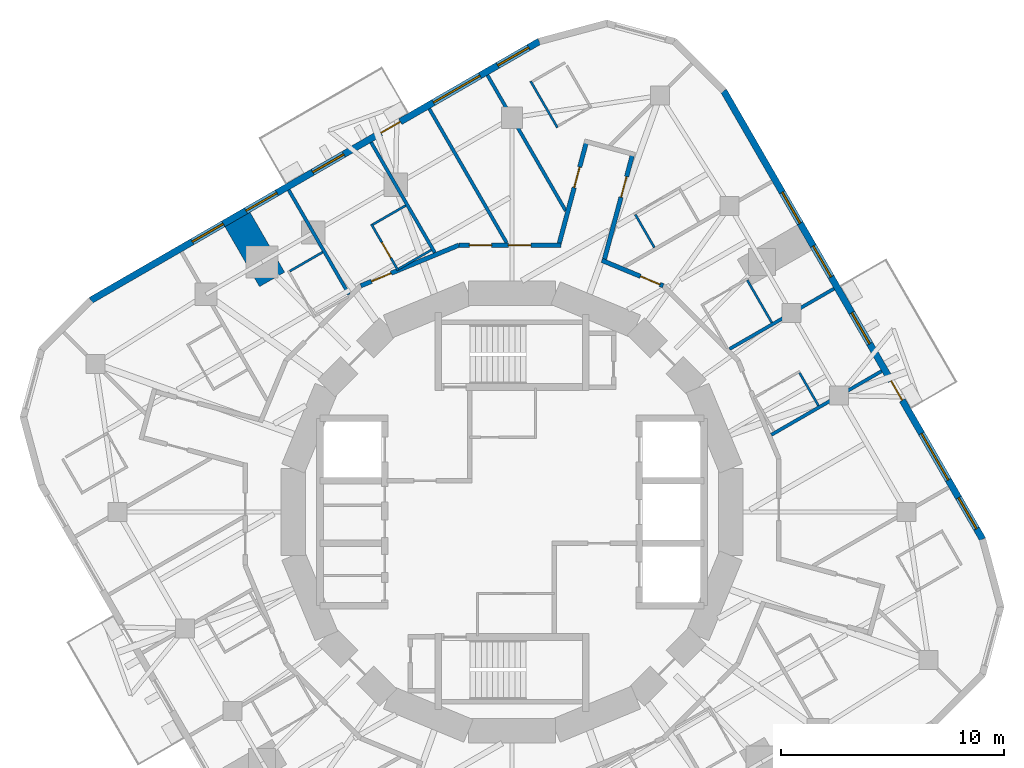
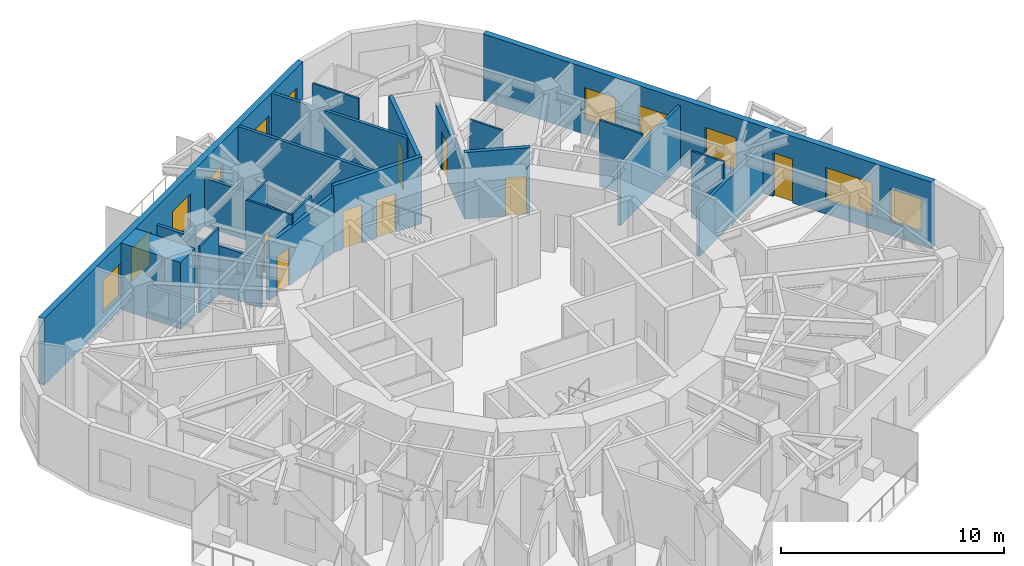
# One storey, part 8 of 11: 22 walls, 10 windows, 9 doors, 19 openings.
"""IFC4 building model written with IfcOpenShell, lengths in metres."""

from ifc_helpers import new_model, si_unit, direction, frame, frame_2d, origin, place, context, subcontext, project, spatial, rectangle, extrude, material, layer, layer_set, type_object, element, fill, save


model = new_model("IFC4")

# Units and contexts
model_context = context("Model", 3, precision=1e-05, world=origin(), true_north=direction((0.0, 1.0)))
body_context = subcontext(model_context, "Body", "Model", "MODEL_VIEW")
ifc_project = project(units=[si_unit("LENGTHUNIT", "METRE"), si_unit("AREAUNIT", "SQUARE_METRE"), si_unit("VOLUMEUNIT", "CUBIC_METRE"), si_unit("PLANEANGLEUNIT", "RADIAN"), si_unit("MASSUNIT", "GRAM", prefix="KILO")], contexts=[model_context])

# Site, building, storey
site_placement = place(None, origin())
site = spatial("IfcSite", under=ifc_project, at=site_placement, CompositionType="ELEMENT")
building_placement = place(site_placement, origin())
building = spatial("IfcBuilding", under=site, at=building_placement, Name="Nakasero Lantern House", CompositionType="ELEMENT")
storey_placement = place(building_placement, frame((0.0, 0.0, 250.050048828125)))
storey = spatial("IfcBuildingStorey", under=building, at=storey_placement, Name="L61", CompositionType="ELEMENT", Elevation=250.050048828125)

# Wall
ifc_material_1 = material(Name="Blockwork", Category="masonry")
ifc_layer_1 = layer(ifc_material_1, 1.300048828125)
ifc_layer_set_1 = layer_set([ifc_layer_1], Name="Column pier 1300")
wall_type_1 = type_object("IfcWallType", Name="Column pier 1300", PredefinedType="PARTITIONING", material=ifc_layer_set_1)
wall_1_placement = place(storey_placement, frame((-10.75048828125, 10.4208984375, 0.0), z_axis=(0.0, 0.0, 1.0), x_axis=(-0.499933790963, 0.866063626216, 0.0)))
element("IfcWall", 1, at=wall_1_placement, inside=storey, type_object=wall_type_1, Name="Column pier L61 PN1-05", PredefinedType="PARTITIONING", context=body_context, shape_type="SweptSolid", body=[
    extrude(rectangle(XDim=3.10009765625, YDim=1.300048828125, at=frame_2d((1.550048828125, 0.0))), origin(), (0.0, 0.0, 1.0), 3.64990234375),
])

# Wall, opening, door
ifc_material_2 = material(Name="Blockwork", Category="masonry")
ifc_layer_2 = layer(ifc_material_2, 0.199951171875)
ifc_layer_set_2 = layer_set([ifc_layer_2], Name="Corridor wall 200")
wall_type_2 = type_object("IfcWallType", Name="Corridor wall 200", PredefinedType="PARTITIONING", material=ifc_layer_set_2)
wall_2_placement = place(storey_placement, frame((-6.773681640625, 10.137451171875, 0.0), z_axis=(0.0, 0.0, 1.0), x_axis=(0.923891735412, 0.382653970627, 0.0)))
wall_2 = element("IfcWall", 2, at=wall_2_placement, inside=storey, type_object=wall_type_2, Name="Corridor wall L61 RC11a", PredefinedType="PARTITIONING", context=body_context, shape_type="SweptSolid", body=[
    extrude(rectangle(XDim=4.757080078125, YDim=0.199951171875, at=frame_2d((2.37841796875, 0.0))), origin(), (0.0, 0.0, 1.0), 3.11328125),
])
opening_1_placement = place(wall_2_placement, frame((0.52001953125, 0.0, 0.0)))
opening_1 = element("IfcOpeningElement", 3, at=opening_1_placement, cuts=wall_2, Name="Opening D01", PredefinedType="OPENING", context=body_context, shape_type="SweptSolid", body=[
    extrude(rectangle(XDim=0.949951171875, YDim=2.10009765625, at=frame_2d((0.47509765625, 1.050048828125))), frame((0.0, 0.119873046875, 0.0), z_axis=(0.0, -1.0, 0.0), x_axis=(1.0, 0.0, 0.0)), (0.0, 0.0, 1.0), 0.239990234375),
])
ifc_material_3 = material(Name="Timber C24", Category="wood")
door_type_1 = type_object("IfcDoorType", Name="Bedroom door FD30S 950", OperationType="SINGLE_SWING_LEFT", PredefinedType="DOOR", material=ifc_material_3)
door_1_placement = place(opening_1_placement, origin())
door_1 = element("IfcDoor", 4, at=door_1_placement, inside=storey, type_object=door_type_1, Name="Door L61 D1-03", OperationType="SINGLE_SWING_LEFT", OverallHeight=2.10009765625, OverallWidth=0.949951171875, PredefinedType="DOOR", context=body_context, shape_type="SweptSolid", body=[
    extrude(rectangle(XDim=0.949951171875, YDim=2.10009765625, at=frame_2d((0.47509765625, 1.050048828125))), frame((0.0, 0.02490234375, 0.0), z_axis=(0.0, -1.0, 0.0), x_axis=(1.0, 0.0, 0.0)), (0.0, 0.0, 1.0), 0.050048828125),
])
fill(opening_1, door_1)

# Wall, openings, doors
wall_3_placement = place(storey_placement, frame((-2.378662109375, 11.957763671875, 0.0), z_axis=(0.0, 0.0, 1.0), x_axis=(1.0, 0.0, 0.0)))
wall_3 = element("IfcWall", 5, at=wall_3_placement, inside=storey, type_object=wall_type_2, Name="Corridor wall L61 RC12a", PredefinedType="PARTITIONING", context=body_context, shape_type="SweptSolid", body=[
    extrude(rectangle(XDim=4.57861328125, YDim=0.199951171875, at=frame_2d((2.289306640625, 0.0))), origin(), (0.0, 0.0, 1.0), 3.64990234375),
])
opening_2_placement = place(wall_3_placement, frame((2.219970703125, 0.0, 0.0)))
opening_2 = element("IfcOpeningElement", 6, at=opening_2_placement, cuts=wall_3, Name="Opening D03", PredefinedType="OPENING", context=body_context, shape_type="SweptSolid", body=[
    extrude(rectangle(XDim=1.0, YDim=2.10009765625, at=frame_2d((0.5, 1.050048828125))), frame((0.0, 0.119873046875, 0.0), z_axis=(0.0, -1.0, 0.0), x_axis=(1.0, 0.0, 0.0)), (0.0, 0.0, 1.0), 0.239990234375),
])
opening_3_placement = place(wall_3_placement, frame((0.469970703125, 0.0, 0.0)))
opening_3 = element("IfcOpeningElement", 7, at=opening_3_placement, cuts=wall_3, Name="Opening D03", PredefinedType="OPENING", context=body_context, shape_type="SweptSolid", body=[
    extrude(rectangle(XDim=1.0, YDim=2.10009765625, at=frame_2d((0.5, 1.050048828125))), frame((0.0, 0.119873046875, 0.0), z_axis=(0.0, -1.0, 0.0), x_axis=(1.0, 0.0, 0.0)), (0.0, 0.0, 1.0), 0.239990234375),
])
ifc_material_4 = material(Name="Timber C24", Category="wood")
door_type_2 = type_object("IfcDoorType", Name="Lounge door FD30S 1000", OperationType="SINGLE_SWING_LEFT", PredefinedType="DOOR", material=ifc_material_4)
door_2_placement = place(opening_2_placement, origin())
door_2 = element("IfcDoor", 8, at=door_2_placement, inside=storey, type_object=door_type_2, Name="Door L61 DK1", OperationType="SINGLE_SWING_RIGHT", OverallHeight=2.10009765625, OverallWidth=1.0, PredefinedType="DOOR", context=body_context, shape_type="SweptSolid", body=[
    extrude(rectangle(XDim=1.0, YDim=2.10009765625, at=frame_2d((0.5, 1.050048828125))), frame((0.0, 0.02490234375, 0.0), z_axis=(0.0, -1.0, 0.0), x_axis=(1.0, 0.0, 0.0)), (0.0, 0.0, 1.0), 0.050048828125),
])
fill(opening_2, door_2)
door_3_placement = place(opening_3_placement, origin())
door_3 = element("IfcDoor", 9, at=door_3_placement, inside=storey, type_object=door_type_2, Name="Door L61 DK1-1", OperationType="SINGLE_SWING_LEFT", OverallHeight=2.10009765625, OverallWidth=1.0, PredefinedType="DOOR", context=body_context, shape_type="SweptSolid", body=[
    extrude(rectangle(XDim=1.0, YDim=2.10009765625, at=frame_2d((0.5, 1.050048828125))), frame((0.0, 0.02490234375, 0.0), z_axis=(0.0, -1.0, 0.0), x_axis=(1.0, 0.0, 0.0)), (0.0, 0.0, 1.0), 0.050048828125),
])
fill(opening_3, door_3)

# Wall, opening, door
wall_4_placement = place(storey_placement, frame((4.025634765625, 11.275634765625, 0.0), z_axis=(0.0, 0.0, 1.0), x_axis=(0.923890787601, -0.382656259044, 0.0)))
wall_4 = element("IfcWall", 10, at=wall_4_placement, inside=storey, type_object=wall_type_2, Name="Corridor wall L61 RC13a", PredefinedType="PARTITIONING", context=body_context, shape_type="SweptSolid", body=[
    extrude(rectangle(XDim=2.974365234375, YDim=0.199951171875, at=frame_2d((1.4873046875, 0.0))), origin(), (0.0, 0.0, 1.0), 3.64990234375),
])
opening_4_placement = place(wall_4_placement, frame((1.8701171875, 0.0, 0.0)))
opening_4 = element("IfcOpeningElement", 11, at=opening_4_placement, cuts=wall_4, Name="Opening D01", PredefinedType="OPENING", context=body_context, shape_type="SweptSolid", body=[
    extrude(rectangle(XDim=0.949951171875, YDim=2.10009765625, at=frame_2d((0.47509765625, 1.050048828125))), frame((0.0, 0.119873046875, 0.0), z_axis=(0.0, -1.0, 0.0), x_axis=(1.0, 0.0, 0.0)), (0.0, 0.0, 1.0), 0.239990234375),
])
door_4_placement = place(opening_4_placement, origin())
door_4 = element("IfcDoor", 12, at=door_4_placement, inside=storey, type_object=door_type_1, Name="Door L61 D0-04", OperationType="SINGLE_SWING_RIGHT", OverallHeight=2.10009765625, OverallWidth=0.949951171875, PredefinedType="DOOR", context=body_context, shape_type="SweptSolid", body=[
    extrude(rectangle(XDim=0.949951171875, YDim=2.10009765625, at=frame_2d((0.47509765625, 1.050048828125))), frame((0.0, 0.02490234375, 0.0), z_axis=(0.0, -1.0, 0.0), x_axis=(1.0, 0.0, 0.0)), (0.0, 0.0, 1.0), 0.050048828125),
])
fill(opening_4, door_4)

wall_5_placement = place(storey_placement, frame((4.11865234375, 11.237060546875, 0.0), z_axis=(0.0, 0.0, 1.0), x_axis=(0.258827481333, 0.965923565769, 0.0)))
wall_5 = element("IfcWall", 13, at=wall_5_placement, inside=storey, type_object=wall_type_2, Name="Corridor wall L61 SP0a", PredefinedType="PARTITIONING", context=body_context, shape_type="SweptSolid", body=[
    extrude(rectangle(XDim=5.07373046875, YDim=0.199951171875, at=frame_2d((2.536865234375, 0.0))), origin(), (0.0, 0.0, 1.0), 2.8876953125),
])
opening_5_placement = place(wall_5_placement, frame((2.969970703125, 0.0, 0.0)))
opening_5 = element("IfcOpeningElement", 14, at=opening_5_placement, cuts=wall_5, Name="Opening D01", PredefinedType="OPENING", context=body_context, shape_type="SweptSolid", body=[
    extrude(rectangle(XDim=0.949951171875, YDim=2.10009765625, at=frame_2d((0.47509765625, 1.050048828125))), frame((0.0, 0.119873046875, 0.0), z_axis=(0.0, -1.0, 0.0), x_axis=(1.0, 0.0, 0.0)), (0.0, 0.0, 1.0), 0.239990234375),
])
door_5_placement = place(opening_5_placement, origin())
door_5 = element("IfcDoor", 15, at=door_5_placement, inside=storey, type_object=door_type_1, Name="Door L61 D0-06", OperationType="SINGLE_SWING_RIGHT", OverallHeight=2.10009765625, OverallWidth=0.949951171875, PredefinedType="DOOR", context=body_context, shape_type="SweptSolid", body=[
    extrude(rectangle(XDim=0.949951171875, YDim=2.10009765625, at=frame_2d((0.47509765625, 1.050048828125))), frame((0.0, 0.02490234375, 0.0), z_axis=(0.0, -1.0, 0.0), x_axis=(1.0, 0.0, 0.0)), (0.0, 0.0, 1.0), 0.050048828125),
])
fill(opening_5, door_5)

wall_6_placement = place(storey_placement, frame((2.096435546875, 11.957763671875, 0.0), z_axis=(0.0, 0.0, 1.0), x_axis=(0.258794186145, 0.965932486884, 0.0)))
wall_6 = element("IfcWall", 16, at=wall_6_placement, inside=storey, type_object=wall_type_2, Name="Corridor wall L61 SP0b", PredefinedType="PARTITIONING", context=body_context, shape_type="SweptSolid", body=[
    extrude(rectangle(XDim=4.90087890625, YDim=0.199951171875, at=frame_2d((2.450439453125, 0.0))), origin(), (0.0, 0.0, 1.0), 3.64990234375),
])
opening_6_placement = place(wall_6_placement, frame((2.669921875, 0.0, 0.0)))
opening_6 = element("IfcOpeningElement", 17, at=opening_6_placement, cuts=wall_6, Name="Opening D01", PredefinedType="OPENING", context=body_context, shape_type="SweptSolid", body=[
    extrude(rectangle(XDim=0.949951171875, YDim=2.10009765625, at=frame_2d((0.47509765625, 1.050048828125))), frame((0.0, 0.119873046875, 0.0), z_axis=(0.0, -1.0, 0.0), x_axis=(1.0, 0.0, 0.0)), (0.0, 0.0, 1.0), 0.239990234375),
])
door_6_placement = place(opening_6_placement, origin())
door_6 = element("IfcDoor", 18, at=door_6_placement, inside=storey, type_object=door_type_1, Name="Door L61 D1-00", OperationType="SINGLE_SWING_RIGHT", OverallHeight=2.10009765625, OverallWidth=0.949951171875, PredefinedType="DOOR", context=body_context, shape_type="SweptSolid", body=[
    extrude(rectangle(XDim=0.949951171875, YDim=2.10009765625, at=frame_2d((0.47509765625, 1.050048828125))), frame((0.0, 0.02490234375, 0.0), z_axis=(0.0, -1.0, 0.0), x_axis=(1.0, 0.0, 0.0)), (0.0, 0.0, 1.0), 0.050048828125),
])
fill(opening_6, door_6)

# Walls
ifc_material_5 = material(Name="Blockwork", Category="masonry")
ifc_layer_3 = layer(ifc_material_5, 0.10009765625)
ifc_layer_set_3 = layer_set([ifc_layer_3], Name="En-suite wall 100")
wall_type_3 = type_object("IfcWallType", Name="En-suite wall 100", PredefinedType="PARTITIONING", material=ifc_layer_set_3)
wall_7_placement = place(storey_placement, frame((13.732666015625, 4.76416015625, 0.0), z_axis=(0.0, 0.0, 1.0), x_axis=(-0.500062241894, 0.865989465428, 0.0)))
element("IfcWall", 19, at=wall_7_placement, inside=storey, type_object=wall_type_3, Name="En-suite wall L61 EE0-03", PredefinedType="PARTITIONING", context=body_context, shape_type="SweptSolid", body=[
    extrude(rectangle(XDim=1.699951171875, YDim=0.10009765625, at=frame_2d((0.85009765625, 0.0))), origin(), (0.0, 0.0, 1.0), 3.64990234375),
])
wall_8_placement = place(storey_placement, frame((11.642333984375, 8.483642578125, 0.0), z_axis=(0.0, 0.0, 1.0), x_axis=(-0.50002983664, 0.866008176907, 0.0)))
element("IfcWall", 20, at=wall_8_placement, inside=storey, type_object=wall_type_3, Name="En-suite wall L61 EE0-04", PredefinedType="PARTITIONING", context=body_context, shape_type="SweptSolid", body=[
    extrude(rectangle(XDim=2.199951171875, YDim=0.10009765625, at=frame_2d((1.10009765625, 0.0))), origin(), (0.0, 0.0, 1.0), 3.64990234375),
])
wall_9_placement = place(storey_placement, frame((6.37890625, 11.8515625, 0.0), z_axis=(0.0, 0.0, 1.0), x_axis=(-0.500062241894, 0.865989465428, 0.0)))
element("IfcWall", 21, at=wall_9_placement, inside=storey, type_object=wall_type_3, Name="En-suite wall L61 EI0-06", PredefinedType="PARTITIONING", context=body_context, shape_type="SweptSolid", body=[
    extrude(rectangle(XDim=1.699951171875, YDim=0.10009765625, at=frame_2d((0.85009765625, 0.0))), origin(), (0.0, 0.0, 1.0), 3.64990234375),
])
wall_10_placement = place(storey_placement, frame((2.034912109375, 17.225341796875, 0.0), z_axis=(0.0, 0.0, 1.0), x_axis=(-0.500001309137, 0.866024647952, 0.0)))
element("IfcWall", 22, at=wall_10_placement, inside=storey, type_object=wall_type_3, Name="En-suite wall L61 ES1-00", PredefinedType="PARTITIONING", context=body_context, shape_type="SweptSolid", body=[
    extrude(rectangle(XDim=2.39990234375, YDim=0.10009765625, at=frame_2d((1.199951171875, 0.0))), origin(), (0.0, 0.0, 1.0), 3.64990234375),
])

# Wall, opening, door
wall_11_placement = place(storey_placement, frame((-5.104736328125, 10.822509765625, 0.0), z_axis=(0.0, 0.0, 1.0), x_axis=(-0.500001309137, 0.866024647952, 0.0)))
wall_11 = element("IfcWall", 23, at=wall_11_placement, inside=storey, type_object=wall_type_3, Name="En-suite wall L61 ES1-03", PredefinedType="PARTITIONING", context=body_context, shape_type="SweptSolid", body=[
    extrude(rectangle(XDim=2.39990234375, YDim=0.10009765625, at=frame_2d((1.199951171875, 0.0))), origin(), (0.0, 0.0, 1.0), 3.64990234375),
])
opening_7_placement = place(wall_11_placement, frame((0.64990234375, 0.0, 0.0)))
opening_7 = element("IfcOpeningElement", 24, at=opening_7_placement, cuts=wall_11, Name="Opening D02", PredefinedType="OPENING", context=body_context, shape_type="SweptSolid", body=[
    extrude(rectangle(XDim=0.800048828125, YDim=2.10009765625, at=frame_2d((0.39990234375, 1.050048828125))), frame((0.0, 0.070068359375, 0.0), z_axis=(0.0, -1.0, 0.0), x_axis=(1.0, 0.0, 0.0)), (0.0, 0.0, 1.0), 0.14013671875),
])
ifc_material_6 = material(Name="Timber C24", Category="wood")
door_type_3 = type_object("IfcDoorType", Name="En-suite door 800", OperationType="SINGLE_SWING_RIGHT", PredefinedType="DOOR", material=ifc_material_6)
door_7_placement = place(opening_7_placement, origin())
door_7 = element("IfcDoor", 25, at=door_7_placement, inside=storey, type_object=door_type_3, Name="Door L61 DE1-03", OperationType="SINGLE_SWING_LEFT", OverallHeight=2.10009765625, OverallWidth=0.800048828125, PredefinedType="DOOR", context=body_context, shape_type="SweptSolid", body=[
    extrude(rectangle(XDim=0.800048828125, YDim=2.10009765625, at=frame_2d((0.39990234375, 1.050048828125))), frame((0.0, 0.02490234375, 0.0), z_axis=(0.0, -1.0, 0.0), x_axis=(1.0, 0.0, 0.0)), (0.0, 0.0, 1.0), 0.050048828125),
])
fill(opening_7, door_7)

# Walls
for number, where, z_axis, x_axis, name in (
    (26, (-4.76416015625, 13.732666015625, 0.0), (0.0, 0.0, 1.0), (-0.865989465428, -0.500062241894, 0.0), "En-suite wall L61 EE1-03"),
    (27, (-3.614013671875, 11.74072265625, 0.0), (0.0, 0.0, 1.0), (-0.866087547558, -0.499892348375, 0.0), "En-suite wall L61 EI1-03"),
    (28, (-8.483642578125, 11.642333984375, 0.0), (0.0, 0.0, 1.0), (-0.865989465428, -0.500062241894, 0.0), "En-suite wall L61 EE1-04"),
):
    element("IfcWall", number, at=place(storey_placement, frame(where, z_axis=z_axis, x_axis=x_axis)), inside=storey, type_object=wall_type_3, Name=name, PredefinedType="PARTITIONING", context=body_context, shape_type="SweptSolid", body=[
        extrude(rectangle(XDim=1.699951171875, YDim=0.10009765625, at=frame_2d((0.85009765625, 0.0))), origin(), (0.0, 0.0, 1.0), 3.64990234375),
    ])

# Wall, openings, door, windows
ifc_material_7 = material(Name="Aluminium rainscreen on blockwork", Category="masonry")
ifc_layer_4 = layer(ifc_material_7, 0.300048828125)
ifc_layer_set_4 = layer_set([ifc_layer_4], Name="Facade wall 300")
wall_type_4 = type_object("IfcWallType", Name="Facade wall 300", PredefinedType="SOLIDWALL", material=ifc_layer_set_4)
wall_12_placement = place(storey_placement, frame((21.08544921875, -1.220947265625, 0.0), z_axis=(0.0, 0.0, 1.0), x_axis=(-0.500003016864, 0.86602366199, 0.0)))
wall_12 = element("IfcWall", 29, at=wall_12_placement, inside=storey, type_object=wall_type_4, Name="Facade wall L61 FW0S", PredefinedType="SOLIDWALL", context=body_context, shape_type="SweptSolid", body=[
    extrude(rectangle(XDim=23.199951171875, YDim=0.300048828125, at=frame_2d((11.60009765625, 0.0))), origin(), (0.0, 0.0, 1.0), 3.64990234375),
])
opening_8_placement = place(wall_12_placement, frame((0.5458984375, 0.0, 0.75)))
opening_8 = element("IfcOpeningElement", 30, at=opening_8_placement, cuts=wall_12, Name="Opening W01", PredefinedType="OPENING", context=body_context, shape_type="SweptSolid", body=[
    extrude(rectangle(XDim=1.60009765625, YDim=1.800048828125, at=frame_2d((0.800048828125, 0.89990234375))), frame((0.0, 0.169921875, 0.0), z_axis=(0.0, -1.0, 0.0), x_axis=(1.0, 0.0, 0.0)), (0.0, 0.0, 1.0), 0.340087890625),
])
opening_9_placement = place(wall_12_placement, frame((10.11767578125, 0.0, 0.75)))
opening_9 = element("IfcOpeningElement", 31, at=opening_9_placement, cuts=wall_12, Name="Opening W01", PredefinedType="OPENING", context=body_context, shape_type="SweptSolid", body=[
    extrude(rectangle(XDim=1.60009765625, YDim=1.800048828125, at=frame_2d((0.800048828125, 0.89990234375))), frame((0.0, 0.169921875, 0.0), z_axis=(0.0, -1.0, 0.0), x_axis=(1.0, 0.0, 0.0)), (0.0, 0.0, 1.0), 0.340087890625),
])
opening_10_placement = place(wall_12_placement, frame((13.5751953125, 0.0, 0.75)))
opening_10 = element("IfcOpeningElement", 32, at=opening_10_placement, cuts=wall_12, Name="Opening W01", PredefinedType="OPENING", context=body_context, shape_type="SweptSolid", body=[
    extrude(rectangle(XDim=1.60009765625, YDim=1.800048828125, at=frame_2d((0.800048828125, 0.89990234375))), frame((0.0, 0.169921875, 0.0), z_axis=(0.0, -1.0, 0.0), x_axis=(1.0, 0.0, 0.0)), (0.0, 0.0, 1.0), 0.340087890625),
])
opening_11_placement = place(wall_12_placement, frame((16.349609375, 0.0, 0.75)))
opening_11 = element("IfcOpeningElement", 33, at=opening_11_placement, cuts=wall_12, Name="Opening W01", PredefinedType="OPENING", context=body_context, shape_type="SweptSolid", body=[
    extrude(rectangle(XDim=1.60009765625, YDim=1.800048828125, at=frame_2d((0.800048828125, 0.89990234375))), frame((0.0, 0.169921875, 0.0), z_axis=(0.0, -1.0, 0.0), x_axis=(1.0, 0.0, 0.0)), (0.0, 0.0, 1.0), 0.340087890625),
])
opening_12_placement = place(wall_12_placement, frame((3.071044921875, 0.0, 0.75)))
opening_12 = element("IfcOpeningElement", 34, at=opening_12_placement, cuts=wall_12, Name="Opening W03", PredefinedType="OPENING", context=body_context, shape_type="SweptSolid", body=[
    extrude(rectangle(XDim=2.39990234375, YDim=1.800048828125, at=frame_2d((1.199951171875, 0.89990234375))), frame((0.0, 0.169921875, 0.0), z_axis=(0.0, -1.0, 0.0), x_axis=(1.0, 0.0, 0.0)), (0.0, 0.0, 1.0), 0.340087890625),
])
opening_13_placement = place(wall_12_placement, frame((7.1904296875, 0.0, 0.0)))
opening_13 = element("IfcOpeningElement", 35, at=opening_13_placement, cuts=wall_12, Name="Opening D04", PredefinedType="OPENING", context=body_context, shape_type="SweptSolid", body=[
    extrude(rectangle(XDim=1.0, YDim=2.39990234375, at=frame_2d((0.5, 1.199951171875))), frame((0.0, 0.169921875, 0.0), z_axis=(0.0, -1.0, 0.0), x_axis=(1.0, 0.0, 0.0)), (0.0, 0.0, 1.0), 0.340087890625),
])
ifc_material_8 = material(Name="Aluminium 6063-T6 and glass", Category="aluminium")
door_type_4 = type_object("IfcDoorType", Name="Balcony door 1000x2400", OperationType="SINGLE_SWING_RIGHT", PredefinedType="DOOR", material=ifc_material_8)
door_8_placement = place(opening_13_placement, origin())
door_8 = element("IfcDoor", 36, at=door_8_placement, inside=storey, type_object=door_type_4, Name="Balcony door L61 DB0", OperationType="SINGLE_SWING_RIGHT", OverallHeight=2.39990234375, OverallWidth=1.0, PredefinedType="DOOR", context=body_context, shape_type="SweptSolid", body=[
    extrude(rectangle(XDim=1.0, YDim=2.39990234375, at=frame_2d((0.5, 1.199951171875))), frame((0.0, 0.02490234375, 0.0), z_axis=(0.0, -1.0, 0.0), x_axis=(1.0, 0.0, 0.0)), (0.0, 0.0, 1.0), 0.050048828125),
])
fill(opening_13, door_8)
ifc_material_9 = material(Name="Aluminium 6063-T6 and glass", Category="aluminium")
window_type_1 = type_object("IfcWindowType", Name="Bedroom window 1600x1800", PartitioningType="SINGLE_PANEL", PredefinedType="WINDOW", material=ifc_material_9)
window_1_placement = place(opening_8_placement, origin())
window_1 = element("IfcWindow", 37, at=window_1_placement, inside=storey, type_object=window_type_1, Name="Window L61 WN0-00", OverallHeight=1.800048828125, OverallWidth=1.60009765625, PartitioningType="SINGLE_PANEL", PredefinedType="WINDOW", context=body_context, shape_type="SweptSolid", body=[
    extrude(rectangle(XDim=1.60009765625, YDim=1.800048828125, at=frame_2d((0.800048828125, 0.89990234375))), frame((0.0, 0.030029296875, 0.0), z_axis=(0.0, -1.0, 0.0), x_axis=(1.0, 0.0, 0.0)), (0.0, 0.0, 1.0), 0.06005859375),
])
fill(opening_8, window_1)
window_2_placement = place(opening_9_placement, origin())
window_2 = element("IfcWindow", 38, at=window_2_placement, inside=storey, type_object=window_type_1, Name="Window L61 WN0-03", OverallHeight=1.800048828125, OverallWidth=1.60009765625, PartitioningType="SINGLE_PANEL", PredefinedType="WINDOW", context=body_context, shape_type="SweptSolid", body=[
    extrude(rectangle(XDim=1.60009765625, YDim=1.800048828125, at=frame_2d((0.800048828125, 0.89990234375))), frame((0.0, 0.030029296875, 0.0), z_axis=(0.0, -1.0, 0.0), x_axis=(1.0, 0.0, 0.0)), (0.0, 0.0, 1.0), 0.06005859375),
])
fill(opening_9, window_2)
window_3_placement = place(opening_10_placement, origin())
window_3 = element("IfcWindow", 39, at=window_3_placement, inside=storey, type_object=window_type_1, Name="Window L61 WN0-04", OverallHeight=1.800048828125, OverallWidth=1.60009765625, PartitioningType="SINGLE_PANEL", PredefinedType="WINDOW", context=body_context, shape_type="SweptSolid", body=[
    extrude(rectangle(XDim=1.60009765625, YDim=1.800048828125, at=frame_2d((0.800048828125, 0.89990234375))), frame((0.0, 0.030029296875, 0.0), z_axis=(0.0, -1.0, 0.0), x_axis=(1.0, 0.0, 0.0)), (0.0, 0.0, 1.0), 0.06005859375),
])
fill(opening_10, window_3)
window_4_placement = place(opening_11_placement, origin())
window_4 = element("IfcWindow", 40, at=window_4_placement, inside=storey, type_object=window_type_1, Name="Window L61 WN0-05", OverallHeight=1.800048828125, OverallWidth=1.60009765625, PartitioningType="SINGLE_PANEL", PredefinedType="WINDOW", context=body_context, shape_type="SweptSolid", body=[
    extrude(rectangle(XDim=1.60009765625, YDim=1.800048828125, at=frame_2d((0.800048828125, 0.89990234375))), frame((0.0, 0.030029296875, 0.0), z_axis=(0.0, -1.0, 0.0), x_axis=(1.0, 0.0, 0.0)), (0.0, 0.0, 1.0), 0.06005859375),
])
fill(opening_11, window_4)
ifc_material_10 = material(Name="Aluminium 6063-T6 and glass", Category="aluminium")
window_type_2 = type_object("IfcWindowType", Name="Lounge window 2400x1800", PartitioningType="SINGLE_PANEL", PredefinedType="WINDOW", material=ifc_material_10)
window_5_placement = place(opening_12_placement, origin())
window_5 = element("IfcWindow", 41, at=window_5_placement, inside=storey, type_object=window_type_2, Name="Window L61 WK0", OverallHeight=1.800048828125, OverallWidth=2.39990234375, PartitioningType="SINGLE_PANEL", PredefinedType="WINDOW", context=body_context, shape_type="SweptSolid", body=[
    extrude(rectangle(XDim=2.39990234375, YDim=1.800048828125, at=frame_2d((1.199951171875, 0.89990234375))), frame((0.0, 0.030029296875, 0.0), z_axis=(0.0, -1.0, 0.0), x_axis=(1.0, 0.0, 0.0)), (0.0, 0.0, 1.0), 0.06005859375),
])
fill(opening_12, window_5)

wall_13_placement = place(storey_placement, frame((1.220947265625, 21.08544921875, 0.0), z_axis=(0.0, 0.0, 1.0), x_axis=(-0.86602366199, -0.500003016864, 0.0)))
wall_13 = element("IfcWall", 42, at=wall_13_placement, inside=storey, type_object=wall_type_4, Name="Facade wall L61 FW1S", PredefinedType="SOLIDWALL", context=body_context, shape_type="SweptSolid", body=[
    extrude(rectangle(XDim=23.199951171875, YDim=0.300048828125, at=frame_2d((11.60009765625, 0.0))), origin(), (0.0, 0.0, 1.0), 3.64990234375),
])
opening_14_placement = place(wall_13_placement, frame((0.5458984375, 0.0, 0.75)))
opening_14 = element("IfcOpeningElement", 43, at=opening_14_placement, cuts=wall_13, Name="Opening W01", PredefinedType="OPENING", context=body_context, shape_type="SweptSolid", body=[
    extrude(rectangle(XDim=1.60009765625, YDim=1.800048828125, at=frame_2d((0.800048828125, 0.89990234375))), frame((0.0, 0.169921875, 0.0), z_axis=(0.0, -1.0, 0.0), x_axis=(1.0, 0.0, 0.0)), (0.0, 0.0, 1.0), 0.340087890625),
])
opening_15_placement = place(wall_13_placement, frame((10.11767578125, 0.0, 0.75)))
opening_15 = element("IfcOpeningElement", 44, at=opening_15_placement, cuts=wall_13, Name="Opening W01", PredefinedType="OPENING", context=body_context, shape_type="SweptSolid", body=[
    extrude(rectangle(XDim=1.60009765625, YDim=1.800048828125, at=frame_2d((0.800048828125, 0.89990234375))), frame((0.0, 0.169921875, 0.0), z_axis=(0.0, -1.0, 0.0), x_axis=(1.0, 0.0, 0.0)), (0.0, 0.0, 1.0), 0.340087890625),
])
opening_16_placement = place(wall_13_placement, frame((13.5751953125, 0.0, 0.75)))
opening_16 = element("IfcOpeningElement", 45, at=opening_16_placement, cuts=wall_13, Name="Opening W01", PredefinedType="OPENING", context=body_context, shape_type="SweptSolid", body=[
    extrude(rectangle(XDim=1.60009765625, YDim=1.800048828125, at=frame_2d((0.800048828125, 0.89990234375))), frame((0.0, 0.169921875, 0.0), z_axis=(0.0, -1.0, 0.0), x_axis=(1.0, 0.0, 0.0)), (0.0, 0.0, 1.0), 0.340087890625),
])
opening_17_placement = place(wall_13_placement, frame((16.349609375, 0.0, 0.75)))
opening_17 = element("IfcOpeningElement", 46, at=opening_17_placement, cuts=wall_13, Name="Opening W01", PredefinedType="OPENING", context=body_context, shape_type="SweptSolid", body=[
    extrude(rectangle(XDim=1.60009765625, YDim=1.800048828125, at=frame_2d((0.800048828125, 0.89990234375))), frame((0.0, 0.169921875, 0.0), z_axis=(0.0, -1.0, 0.0), x_axis=(1.0, 0.0, 0.0)), (0.0, 0.0, 1.0), 0.340087890625),
])
opening_18_placement = place(wall_13_placement, frame((3.071044921875, 0.0, 0.75)))
opening_18 = element("IfcOpeningElement", 47, at=opening_18_placement, cuts=wall_13, Name="Opening W03", PredefinedType="OPENING", context=body_context, shape_type="SweptSolid", body=[
    extrude(rectangle(XDim=2.39990234375, YDim=1.800048828125, at=frame_2d((1.199951171875, 0.89990234375))), frame((0.0, 0.169921875, 0.0), z_axis=(0.0, -1.0, 0.0), x_axis=(1.0, 0.0, 0.0)), (0.0, 0.0, 1.0), 0.340087890625),
])
opening_19_placement = place(wall_13_placement, frame((7.1904296875, 0.0, 0.0)))
opening_19 = element("IfcOpeningElement", 48, at=opening_19_placement, cuts=wall_13, Name="Opening D04", PredefinedType="OPENING", context=body_context, shape_type="SweptSolid", body=[
    extrude(rectangle(XDim=1.0, YDim=2.39990234375, at=frame_2d((0.5, 1.199951171875))), frame((0.0, 0.169921875, 0.0), z_axis=(0.0, -1.0, 0.0), x_axis=(1.0, 0.0, 0.0)), (0.0, 0.0, 1.0), 0.340087890625),
])
door_9_placement = place(opening_19_placement, origin())
door_9 = element("IfcDoor", 49, at=door_9_placement, inside=storey, type_object=door_type_4, Name="Balcony door L61 DB1", OperationType="SINGLE_SWING_RIGHT", OverallHeight=2.39990234375, OverallWidth=1.0, PredefinedType="DOOR", context=body_context, shape_type="SweptSolid", body=[
    extrude(rectangle(XDim=1.0, YDim=2.39990234375, at=frame_2d((0.5, 1.199951171875))), frame((0.0, 0.02490234375, 0.0), z_axis=(0.0, -1.0, 0.0), x_axis=(1.0, 0.0, 0.0)), (0.0, 0.0, 1.0), 0.050048828125),
])
fill(opening_19, door_9)
window_6_placement = place(opening_14_placement, origin())
window_6 = element("IfcWindow", 50, at=window_6_placement, inside=storey, type_object=window_type_1, Name="Window L61 WN1-00", OverallHeight=1.800048828125, OverallWidth=1.60009765625, PartitioningType="SINGLE_PANEL", PredefinedType="WINDOW", context=body_context, shape_type="SweptSolid", body=[
    extrude(rectangle(XDim=1.60009765625, YDim=1.800048828125, at=frame_2d((0.800048828125, 0.89990234375))), frame((0.0, 0.030029296875, 0.0), z_axis=(0.0, -1.0, 0.0), x_axis=(1.0, 0.0, 0.0)), (0.0, 0.0, 1.0), 0.06005859375),
])
fill(opening_14, window_6)
window_7_placement = place(opening_15_placement, origin())
window_7 = element("IfcWindow", 51, at=window_7_placement, inside=storey, type_object=window_type_1, Name="Window L61 WN1-03", OverallHeight=1.800048828125, OverallWidth=1.60009765625, PartitioningType="SINGLE_PANEL", PredefinedType="WINDOW", context=body_context, shape_type="SweptSolid", body=[
    extrude(rectangle(XDim=1.60009765625, YDim=1.800048828125, at=frame_2d((0.800048828125, 0.89990234375))), frame((0.0, 0.030029296875, 0.0), z_axis=(0.0, -1.0, 0.0), x_axis=(1.0, 0.0, 0.0)), (0.0, 0.0, 1.0), 0.06005859375),
])
fill(opening_15, window_7)
window_8_placement = place(opening_16_placement, origin())
window_8 = element("IfcWindow", 52, at=window_8_placement, inside=storey, type_object=window_type_1, Name="Window L61 WN1-04", OverallHeight=1.800048828125, OverallWidth=1.60009765625, PartitioningType="SINGLE_PANEL", PredefinedType="WINDOW", context=body_context, shape_type="SweptSolid", body=[
    extrude(rectangle(XDim=1.60009765625, YDim=1.800048828125, at=frame_2d((0.800048828125, 0.89990234375))), frame((0.0, 0.030029296875, 0.0), z_axis=(0.0, -1.0, 0.0), x_axis=(1.0, 0.0, 0.0)), (0.0, 0.0, 1.0), 0.06005859375),
])
fill(opening_16, window_8)
window_9_placement = place(opening_17_placement, origin())
window_9 = element("IfcWindow", 53, at=window_9_placement, inside=storey, type_object=window_type_1, Name="Window L61 WN1-05", OverallHeight=1.800048828125, OverallWidth=1.60009765625, PartitioningType="SINGLE_PANEL", PredefinedType="WINDOW", context=body_context, shape_type="SweptSolid", body=[
    extrude(rectangle(XDim=1.60009765625, YDim=1.800048828125, at=frame_2d((0.800048828125, 0.89990234375))), frame((0.0, 0.030029296875, 0.0), z_axis=(0.0, -1.0, 0.0), x_axis=(1.0, 0.0, 0.0)), (0.0, 0.0, 1.0), 0.06005859375),
])
fill(opening_17, window_9)
window_10_placement = place(opening_18_placement, origin())
window_10 = element("IfcWindow", 54, at=window_10_placement, inside=storey, type_object=window_type_2, Name="Window L61 WK1", OverallHeight=1.800048828125, OverallWidth=2.39990234375, PartitioningType="SINGLE_PANEL", PredefinedType="WINDOW", context=body_context, shape_type="SweptSolid", body=[
    extrude(rectangle(XDim=2.39990234375, YDim=1.800048828125, at=frame_2d((1.199951171875, 0.89990234375))), frame((0.0, 0.030029296875, 0.0), z_axis=(0.0, -1.0, 0.0), x_axis=(1.0, 0.0, 0.0)), (0.0, 0.0, 1.0), 0.06005859375),
])
fill(opening_18, window_10)

# Walls
ifc_material_11 = material(Name="Blockwork", Category="masonry")
ifc_layer_5 = layer(ifc_material_11, 0.14990234375)
ifc_layer_set_5 = layer_set([ifc_layer_5], Name="Party wall 150")
wall_type_5 = type_object("IfcWallType", Name="Party wall 150", PredefinedType="PARTITIONING", material=ifc_layer_set_5)
wall_14_placement = place(storey_placement, frame((11.619140625, 3.457275390625, 0.0), z_axis=(0.0, 0.0, 1.0), x_axis=(0.866023927955, 0.500002556202, 0.0)))
element("IfcWall", 55, at=wall_14_placement, inside=storey, type_object=wall_type_5, Name="Party wall L61 PW0-03", PredefinedType="PARTITIONING", context=body_context, shape_type="SweptSolid", body=[
    extrude(rectangle(XDim=5.708984375, YDim=0.14990234375, at=frame_2d((2.8544921875, 0.0))), origin(), (0.0, 0.0, 1.0), 2.641845703125),
])
wall_15_placement = place(storey_placement, frame((9.748779296875, 7.3037109375, 0.0), z_axis=(0.0, 0.0, 1.0), x_axis=(0.86600807666, 0.500030010259, 0.0)))
element("IfcWall", 56, at=wall_15_placement, inside=storey, type_object=wall_type_5, Name="Party wall L61 PW0-04", PredefinedType="PARTITIONING", context=body_context, shape_type="SweptSolid", body=[
    extrude(rectangle(XDim=5.405517578125, YDim=0.14990234375, at=frame_2d((2.70263671875, 0.0))), origin(), (0.0, 0.0, 1.0), 3.294921875),
])
wall_16_placement = place(storey_placement, frame((2.406005859375, 13.499755859375, 0.0), z_axis=(0.0, 0.0, 1.0), x_axis=(-0.500014799677, 0.866016859018, 0.0)))
element("IfcWall", 57, at=wall_16_placement, inside=storey, type_object=wall_type_5, Name="Party wall L61 PW1-01", PredefinedType="PARTITIONING", context=body_context, shape_type="SweptSolid", body=[
    extrude(rectangle(XDim=7.011962890625, YDim=0.14990234375, at=frame_2d((3.505859375, 0.0))), origin(), (0.0, 0.0, 1.0), 3.64990234375),
])
wall_17_placement = place(storey_placement, frame((-0.236083984375, 12.057861328125, 0.0), z_axis=(0.0, 0.0, 1.0), x_axis=(-0.499998569178, 0.866026229868, 0.0)))
element("IfcWall", 58, at=wall_17_placement, inside=storey, type_object=wall_type_5, Name="Party wall L61 PW1-02", PredefinedType="PARTITIONING", context=body_context, shape_type="SweptSolid", body=[
    extrude(rectangle(XDim=6.939453125, YDim=0.14990234375, at=frame_2d((3.4697265625, 0.0))), origin(), (0.0, 0.0, 1.0), 3.64990234375),
])
wall_18_placement = place(storey_placement, frame((-3.457275390625, 11.619140625, 0.0), z_axis=(0.0, 0.0, 1.0), x_axis=(-0.500002556202, 0.866023927955, 0.0)))
element("IfcWall", 59, at=wall_18_placement, inside=storey, type_object=wall_type_5, Name="Party wall L61 PW1-03", PredefinedType="PARTITIONING", context=body_context, shape_type="SweptSolid", body=[
    extrude(rectangle(XDim=5.708984375, YDim=0.14990234375, at=frame_2d((2.8544921875, 0.0))), origin(), (0.0, 0.0, 1.0), 2.650146484375),
])
wall_19_placement = place(storey_placement, frame((-7.3037109375, 9.748779296875, 0.0), z_axis=(0.0, 0.0, 1.0), x_axis=(-0.500030010259, 0.86600807666, 0.0)))
element("IfcWall", 60, at=wall_19_placement, inside=storey, type_object=wall_type_5, Name="Party wall L61 PW1-04", PredefinedType="PARTITIONING", context=body_context, shape_type="SweptSolid", body=[
    extrude(rectangle(XDim=5.405517578125, YDim=0.14990234375, at=frame_2d((2.70263671875, 0.0))), origin(), (0.0, 0.0, 1.0), 2.659912109375),
])

save(model, "model.ifc")
